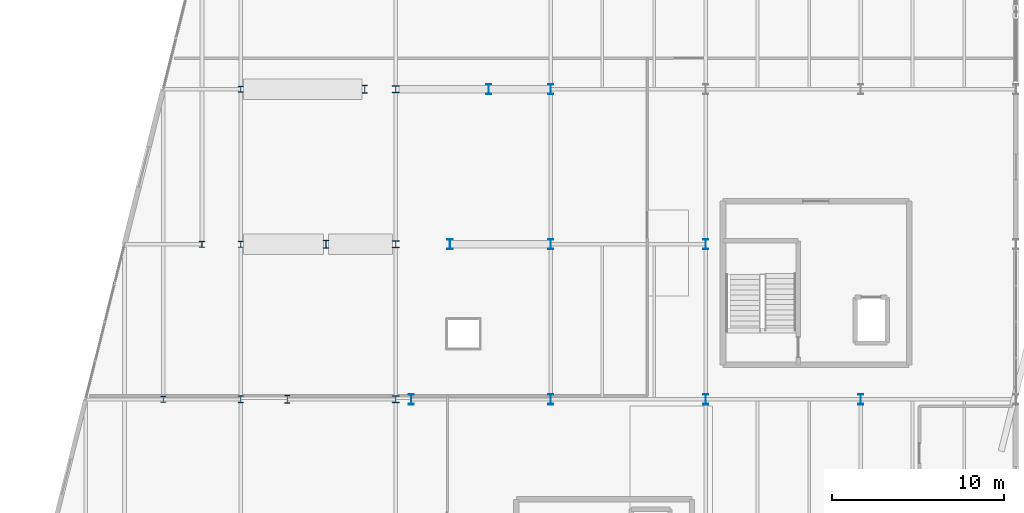
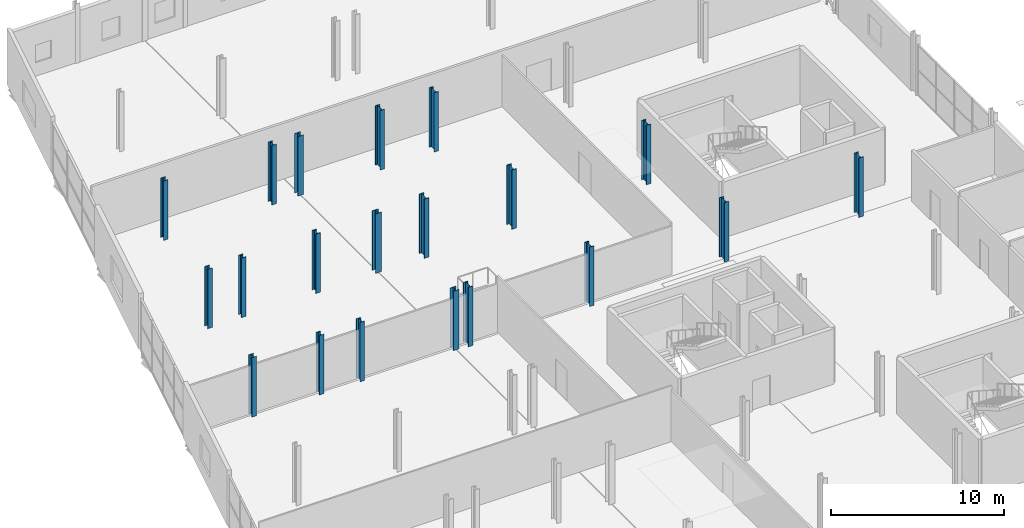
# One storey, part 15 of 132: 20 columns.
"""IFC4 building model written with IfcOpenShell, lengths in metres."""

import ifcopenshell
import ifcopenshell.guid

model = None  # the IFC model being written
_history = None  # IfcOwnerHistory: only IFC2X3 demands one
_inside = {}  # id of a spatial element -> (the spatial element, [elements in it])
_under = {}  # id of a project, library or spatial element -> (it, [spatial elements below it])
_declared = {}  # id of a project -> (the project, [libraries it declares])
_typed = {}  # id of a type object -> (the type object, [elements of that type])
_made_of = {}  # id of a material, layer set ... -> (it, [elements and type objects made of it])


def new_model(schema):
    """Start an empty IFC model of exactly this schema.

    Asked for "IFC4X3", IfcOpenShell would pick the latest addendum, in which some entities
    have other attributes; the version numbers below select the first issue.
    IFC2X3 requires an IfcOwnerHistory on every rooted entity: one is made here for all.
    """
    global model, _history
    if schema == "IFC4X3":
        model = ifcopenshell.file(schema_version=(4, 3, 0, 0))
    else:
        model = ifcopenshell.file(schema=schema)
    _inside.clear()
    _under.clear()
    _declared.clear()
    _typed.clear()
    _made_of.clear()
    _history = None
    if model.schema == "IFC2X3":
        org = make("IfcOrganization", Name="unknown")
        user = make(
            "IfcPersonAndOrganization",
            ThePerson=make("IfcPerson", FamilyName="unknown"),
            TheOrganization=org,
        )
        app = make(
            "IfcApplication",
            ApplicationDeveloper=org,
            Version="unknown",
            ApplicationFullName="unknown",
            ApplicationIdentifier="unknown",
        )
        _history = make(
            "IfcOwnerHistory",
            OwningUser=user,
            OwningApplication=app,
            ChangeAction="ADDED",
            CreationDate=0,
        )
    return model


def make(cls, **values):
    """One entity of the class cls with the attributes given. An attribute that is None is left unset."""
    return model.create_entity(
        cls, **{name: value for name, value in values.items() if value is not None}
    )


def rooted(cls, **values):
    """An entity with a GlobalId (a new one), such as an element, a storey or a relation."""
    return make(cls, GlobalId=ifcopenshell.guid.new(), OwnerHistory=_history, **values)


def si_unit(unit_type, name, prefix=None):
    """IfcSIUnit, for example si_unit("LENGTHUNIT", "METRE", prefix="MILLI")."""
    return make("IfcSIUnit", UnitType=unit_type, Prefix=prefix, Name=name)


def assignment(units):
    """IfcUnitAssignment: the units of a project."""
    return None if units is None else make("IfcUnitAssignment", Units=units)


def point(xyz):
    """IfcCartesianPoint."""
    return None if xyz is None else make("IfcCartesianPoint", Coordinates=xyz)


def direction(xyz):
    """IfcDirection."""
    return None if xyz is None else make("IfcDirection", DirectionRatios=xyz)


def frame(location, z_axis=None, x_axis=None):
    """IfcAxis2Placement3D, a coordinate frame: its origin and axes. An axis left out is left unset."""
    return make(
        "IfcAxis2Placement3D",
        Location=point(location),
        Axis=direction(z_axis),
        RefDirection=direction(x_axis),
    )


def frame_2d(location, x_axis=None):
    """IfcAxis2Placement2D, a coordinate frame in the plane: its origin and x axis."""
    return make(
        "IfcAxis2Placement2D", Location=point(location), RefDirection=direction(x_axis)
    )


def origin():
    """The frame at (0, 0, 0) with its axes left unset."""
    return frame((0.0, 0.0, 0.0))


def origin_2d():
    """The frame at (0, 0) in the plane with its x axis left unset."""
    return frame_2d((0.0, 0.0))


def place(relative_to, where):
    """IfcLocalPlacement: puts the frame where relative to a parent placement (None: the world)."""
    return make(
        "IfcLocalPlacement", PlacementRelTo=relative_to, RelativePlacement=where
    )


def context(
    kind, dimensions, precision=None, world=None, true_north=None, identifier=None
):
    """IfcGeometricRepresentationContext, for example the 3D "Model" context."""
    return make(
        "IfcGeometricRepresentationContext",
        ContextIdentifier=identifier,
        ContextType=kind,
        CoordinateSpaceDimension=dimensions,
        Precision=precision,
        WorldCoordinateSystem=world,
        TrueNorth=true_north,
    )


def subcontext(parent, identifier, kind, view, scale=None):
    """IfcGeometricRepresentationSubContext, for example "Body" below "Model"."""
    return make(
        "IfcGeometricRepresentationSubContext",
        ContextIdentifier=identifier,
        ContextType=kind,
        ParentContext=parent,
        TargetScale=scale,
        TargetView=view,
    )


def project(units=None, contexts=None):
    """IfcProject with its units and contexts."""
    return rooted(
        "IfcProject",
        Name="project",
        RepresentationContexts=contexts,
        UnitsInContext=assignment(units),
    )


def spatial(cls, under=None, at=None, **own):
    """A site, building, storey or space (cls), placed at a placement, below another one or the project."""
    s = rooted(cls, ObjectPlacement=at, **own)
    if under is not None:
        _under.setdefault(under.id(), (under, []))[1].append(s)
    return s


def profile(cls, at=None, kind="AREA", **sizes):
    """A parametric profile (cls). Its sizes go by their IFC names, for example OverallWidth=200.0."""
    return make(cls, ProfileType=kind, Position=at, **sizes)


def i_section(**sizes):
    """IfcIShapeProfileDef."""
    return profile("IfcIShapeProfileDef", **sizes)


def extrude(swept, where, along, depth):
    """IfcExtrudedAreaSolid: the profile swept, set in the frame where, extruded along a direction by depth."""
    return make(
        "IfcExtrudedAreaSolid",
        SweptArea=swept,
        Position=where,
        ExtrudedDirection=direction(along),
        Depth=depth,
    )


def shape(context_of_items, identifier, shape_type, items):
    """IfcShapeRepresentation: the items that make up one representation, for example the "Body"."""
    return make(
        "IfcShapeRepresentation",
        ContextOfItems=context_of_items,
        RepresentationIdentifier=identifier,
        RepresentationType=shape_type,
        Items=items,
    )


def material(Name=None, Category=None):
    """IfcMaterial."""
    return make("IfcMaterial", Name=Name, Category=Category)


def material_profile(
    of_material, cross_section, Name=None, Category=None, Priority=None
):
    """IfcMaterialProfile: a cross section and its material."""
    return make(
        "IfcMaterialProfile",
        Name=Name,
        Material=of_material,
        Profile=cross_section,
        Priority=Priority,
        Category=Category,
    )


def profile_set(profiles, Name=None, composite=None):
    """IfcMaterialProfileSet."""
    return make(
        "IfcMaterialProfileSet",
        Name=Name,
        MaterialProfiles=profiles,
        CompositeProfile=composite,
    )


def made_of(thing, what):
    """Note that an element or type object is made of a material, layer set ...; save() writes the relation."""
    if what is not None:
        _made_of.setdefault(what.id(), (what, []))[1].append(thing)
    return thing


def type_object(cls, material=None, **own):
    """A type object (cls), such as IfcWallType, which elements share."""
    return made_of(rooted(cls, **own), material)


def element(
    cls,
    number,
    at=None,
    inside=None,
    cuts=None,
    type_object=None,
    material=None,
    context=None,
    identifier="Body",
    shape_type=None,
    held_by="IfcProductDefinitionShape",
    body=None,
    shapes=None,
    **own,
):
    """One element of the class cls, such as IfcWall. Its Tag is "e" and its number.

    at: its placement. inside: the storey or other place that contains it. cuts: it is an
    opening in that element (IfcRelVoidsElement). A single representation is given by context,
    identifier, shape_type and body (its items); several are given by shapes. held_by: the class
    of the entity that holds the representations. save() writes the other relations.
    """
    e = rooted(cls, Tag="e%d" % number, ObjectPlacement=at, **own)
    if body is not None:
        shapes = [shape(context, identifier, shape_type, body)]
    if shapes is not None:
        e.Representation = make(held_by, Representations=shapes)
    if inside is not None:
        _inside.setdefault(inside.id(), (inside, []))[1].append(e)
    if cuts is not None:
        rooted(
            "IfcRelVoidsElement", RelatingBuildingElement=cuts, RelatedOpeningElement=e
        )
    if type_object is not None:
        _typed.setdefault(type_object.id(), (type_object, []))[1].append(e)
    return made_of(e, material)


def aggregate(whole, parts):
    """IfcRelAggregates: a whole, such as a stair, and the parts it consists of."""
    return rooted("IfcRelAggregates", RelatingObject=whole, RelatedObjects=parts)


def save(model, path):
    """Write the relations noted so far, then the file.

    IfcRelAggregates (storeys below a building ...), IfcRelContainedInSpatialStructure (elements
    in a storey), IfcRelDefinesByType, IfcRelAssociatesMaterial and IfcRelDeclares: one each for
    every whole, place, type object, material and project.
    """
    for whole, parts in _under.values():
        aggregate(whole, parts)
    for where, things in _inside.values():
        rooted(
            "IfcRelContainedInSpatialStructure",
            RelatedElements=things,
            RelatingStructure=where,
        )
    for kind, things in _typed.values():
        rooted("IfcRelDefinesByType", RelatedObjects=things, RelatingType=kind)
    for what, things in _made_of.values():
        rooted("IfcRelAssociatesMaterial", RelatedObjects=things, RelatingMaterial=what)
    for by, libraries in _declared.values():
        rooted("IfcRelDeclares", RelatingContext=by, RelatedDefinitions=libraries)
    model.write(path)


model = new_model("IFC4")

# Units and contexts
model_context = context("Model", 3, precision=1e-05, world=origin(), true_north=direction((0.0, 1.0)))
body_context = subcontext(model_context, "Body", "Model", "MODEL_VIEW")
ifc_project = project(units=[si_unit("LENGTHUNIT", "METRE"), si_unit("AREAUNIT", "SQUARE_METRE"), si_unit("VOLUMEUNIT", "CUBIC_METRE"), si_unit("PLANEANGLEUNIT", "RADIAN"), si_unit("MASSUNIT", "GRAM", prefix="KILO")], contexts=[model_context])

# Site, building, storey
site_placement = place(None, origin())
site = spatial("IfcSite", under=ifc_project, at=site_placement, CompositionType="ELEMENT")
building_placement = place(site_placement, origin())
building = spatial("IfcBuilding", under=site, at=building_placement, Name="Deido Ridge Mobility Hub", CompositionType="ELEMENT")
storey_placement = place(building_placement, frame((0.0, 0.0, 8.39990234375)))
storey = spatial("IfcBuildingStorey", under=building, at=storey_placement, Name="L02", CompositionType="ELEMENT", Elevation=8.39990234375)

# Columns
ifc_material = material(Name="Steel S355J2 EN 10025-2", Category="steel")
ifc_material_profile_1 = material_profile(ifc_material, i_section(OverallWidth=0.39892578125, OverallDepth=0.39306640625, WebThickness=0.017578125, FlangeThickness=0.028076171875, FilletRadius=0.014892578125, at=origin_2d()), Name="HD 400x287")
ifc_profile_set_1 = profile_set([ifc_material_profile_1], Name="Steel S355J2 EN 10025-2")
column_type_1 = type_object("IfcColumnType", Name="COL-HD400-287", PredefinedType="COLUMN", material=ifc_profile_set_1)
for number, where, z_axis, x_axis, name in (
    (1, (144.0, 36.0, 0.0), (0.0, 0.0, 1.0), (1.0, 0.0, 0.0), "Structural column C2"),
    (2, (144.0, 45.0, 0.0), (0.0, 0.0, 1.0), (1.0, 0.0, 0.0), "Structural column C2"),
    (3, (144.0, 54.0, 0.0), (0.0, 0.0, 1.0), (1.0, 0.0, 0.0), "Structural column C2"),
):
    element("IfcColumn", number, at=place(storey_placement, frame(where, z_axis=z_axis, x_axis=x_axis)), inside=storey, type_object=column_type_1, Name=name, PredefinedType="COLUMN", context=body_context, shape_type="SweptSolid", body=[
        extrude(i_section(OverallWidth=0.39892578125, OverallDepth=0.39306640625, WebThickness=0.017578125, FlangeThickness=0.028076171875, FilletRadius=0.014892578125, at=origin_2d()), origin(), (0.0, 0.0, 1.0), 4.2001953125),
    ])
ifc_material_profile_2 = material_profile(ifc_material, i_section(OverallWidth=0.300048828125, OverallDepth=0.360107421875, WebThickness=0.012451171875, FlangeThickness=0.0224609375, FilletRadius=0.027099609375, at=origin_2d()), Name="HEB 360")
ifc_profile_set_2 = profile_set([ifc_material_profile_2], Name="Steel S355J2 EN 10025-2")
column_type_2 = type_object("IfcColumnType", Name="COL-HEB360", PredefinedType="COLUMN", material=ifc_profile_set_2)
for number, where, z_axis, x_axis, name in (
    (4, (130.5, 36.0, 0.0), (0.0, 0.0, 1.0), (1.0, 0.0, 0.0), "Structural column C8"),
    (5, (132.75, 45.0, 0.0), (0.0, 0.0, 1.0), (1.0, 0.0, 0.0), "Structural column C8"),
    (6, (135.0, 45.0, 0.0), (0.0, 0.0, 1.0), (1.0, 0.0, 0.0), "Structural column C8"),
    (7, (135.0, 54.0, 0.0), (0.0, 0.0, 1.0), (1.0, 0.0, 0.0), "Structural column C8"),
):
    element("IfcColumn", number, at=place(storey_placement, frame(where, z_axis=z_axis, x_axis=x_axis)), inside=storey, type_object=column_type_2, Name=name, PredefinedType="COLUMN", context=body_context, shape_type="SweptSolid", body=[
        extrude(i_section(OverallWidth=0.300048828125, OverallDepth=0.360107421875, WebThickness=0.012451171875, FlangeThickness=0.0224609375, FilletRadius=0.027099609375, at=origin_2d()), origin(), (0.0, 0.0, 1.0), 4.2001953125),
    ])
ifc_material_profile_3 = material_profile(ifc_material, i_section(OverallWidth=0.300048828125, OverallDepth=0.39990234375, WebThickness=0.013427734375, FlangeThickness=0.02392578125, FilletRadius=0.027099609375, at=origin_2d()), Name="HEB 400")
ifc_profile_set_3 = profile_set([ifc_material_profile_3], Name="Steel S355J2 EN 10025-2")
column_type_3 = type_object("IfcColumnType", Name="COL-HEB400", PredefinedType="COLUMN", material=ifc_profile_set_3)
column_placement = place(storey_placement, frame((135.0, 36.0, 0.0), z_axis=(0.0, 0.0, 1.0), x_axis=(1.0, 0.0, 0.0)))
element("IfcColumn", 8, at=column_placement, inside=storey, type_object=column_type_3, Name="Structural column C7", PredefinedType="COLUMN", context=body_context, shape_type="SweptSolid", body=[
    extrude(i_section(OverallWidth=0.300048828125, OverallDepth=0.39990234375, WebThickness=0.013427734375, FlangeThickness=0.02392578125, FilletRadius=0.027099609375, at=origin_2d()), origin(), (0.0, 0.0, 1.0), 4.2001953125),
])
ifc_material_profile_4 = material_profile(ifc_material, i_section(OverallWidth=0.300048828125, OverallDepth=0.449951171875, WebThickness=0.013916015625, FlangeThickness=0.02587890625, FilletRadius=0.027099609375, at=origin_2d()), Name="HEB 450")
ifc_profile_set_4 = profile_set([ifc_material_profile_4], Name="Steel S355J2 EN 10025-2")
column_type_4 = type_object("IfcColumnType", Name="COL-HEB450", PredefinedType="COLUMN", material=ifc_profile_set_4)
for number, where, z_axis, x_axis, name in (
    (9, (137.699951171875, 36.0, 0.0), (0.0, 0.0, 1.0), (1.0, 0.0, 0.0), "Structural column C6"),
    (10, (139.949951171875, 45.0, 0.0), (0.0, 0.0, 1.0), (1.0, 0.0, 0.0), "Structural column C6"),
    (11, (142.199951171875, 54.0, 0.0), (0.0, 0.0, 1.0), (1.0, 0.0, 0.0), "Structural column C6"),
):
    element("IfcColumn", number, at=place(storey_placement, frame(where, z_axis=z_axis, x_axis=x_axis)), inside=storey, type_object=column_type_4, Name=name, PredefinedType="COLUMN", context=body_context, shape_type="SweptSolid", body=[
        extrude(i_section(OverallWidth=0.300048828125, OverallDepth=0.449951171875, WebThickness=0.013916015625, FlangeThickness=0.02587890625, FilletRadius=0.027099609375, at=origin_2d()), origin(), (0.0, 0.0, 1.0), 4.2001953125),
    ])
ifc_material_profile_5 = material_profile(ifc_material, i_section(OverallWidth=0.300048828125, OverallDepth=0.60009765625, WebThickness=0.015380859375, FlangeThickness=0.030029296875, FilletRadius=0.027099609375, at=origin_2d()), Name="HEB 600")
ifc_profile_set_5 = profile_set([ifc_material_profile_5], Name="Steel S355J2 EN 10025-2")
column_type_5 = type_object("IfcColumnType", Name="COL-HEB600", PredefinedType="COLUMN", material=ifc_profile_set_5)
for number, where, z_axis, x_axis, name in (
    (12, (144.89990234375, 36.0, 0.0), (0.0, 0.0, 1.0), (1.0, 0.0, 0.0), "Structural column C4"),
    (13, (153.0, 36.0, 0.0), (0.0, 0.0, 1.0), (1.0, 0.0, 0.0), "Structural column C4"),
    (14, (162.0, 36.0, 0.0), (0.0, 0.0, 1.0), (1.0, 0.0, 0.0), "Structural column C4"),
    (15, (171.0, 36.0, 0.0), (0.0, 0.0, 1.0), (1.0, 0.0, 0.0), "Structural column C4"),
    (16, (147.14990234375, 45.0, 0.0), (0.0, 0.0, 1.0), (1.0, 0.0, 0.0), "Structural column C4"),
    (17, (153.0, 45.0, 0.0), (0.0, 0.0, 1.0), (1.0, 0.0, 0.0), "Structural column C4"),
    (18, (162.0, 45.0, 0.0), (0.0, 0.0, 1.0), (1.0, 0.0, 0.0), "Structural column C4"),
    (19, (149.39990234375, 54.0, 0.0), (0.0, 0.0, 1.0), (1.0, 0.0, 0.0), "Structural column C4"),
    (20, (153.0, 54.0, 0.0), (0.0, 0.0, 1.0), (1.0, 0.0, 0.0), "Structural column C4"),
):
    element("IfcColumn", number, at=place(storey_placement, frame(where, z_axis=z_axis, x_axis=x_axis)), inside=storey, type_object=column_type_5, Name=name, PredefinedType="COLUMN", context=body_context, shape_type="SweptSolid", body=[
        extrude(i_section(OverallWidth=0.300048828125, OverallDepth=0.60009765625, WebThickness=0.015380859375, FlangeThickness=0.030029296875, FilletRadius=0.027099609375, at=origin_2d()), origin(), (0.0, 0.0, 1.0), 4.2001953125),
    ])

save(model, "model.ifc")
